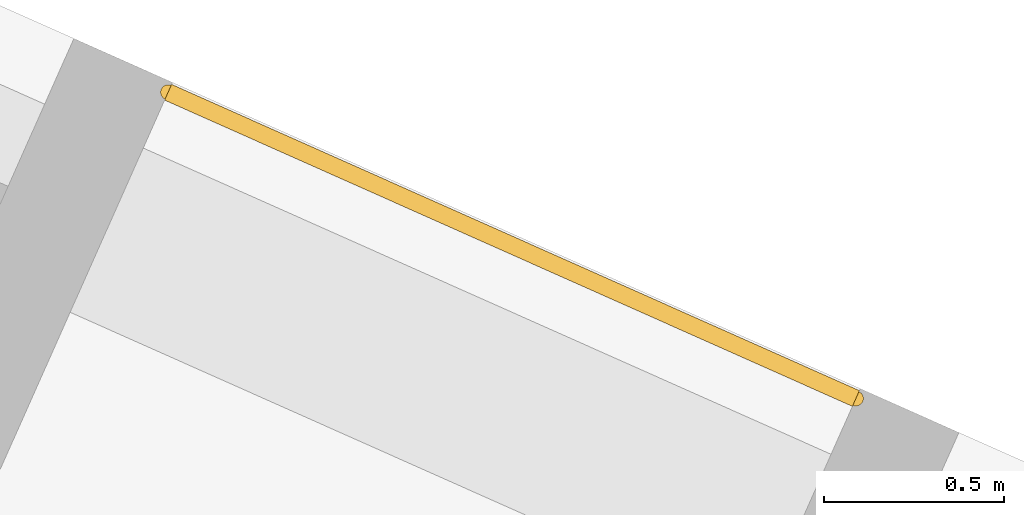
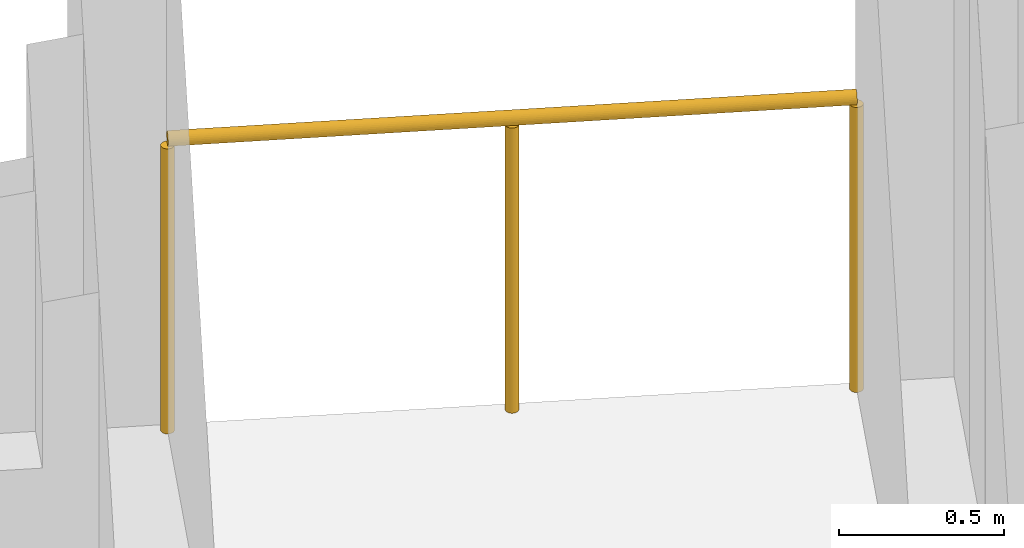
# One storey, part 14 of 14: 1 railing.
"""IFC4 building model written with IfcOpenShell, lengths in metres."""

from ifc_helpers import new_model, si_unit, direction, frame, origin, origin_2d, place, context, subcontext, project, spatial, circle, extrude, material, type_object, element, save


model = new_model("IFC4")

# Units and contexts
model_context = context("Model", 3, precision=1e-05, world=origin(), true_north=direction((0.0, 1.0)))
body_context = subcontext(model_context, "Body", "Model", "MODEL_VIEW")
ifc_project = project(units=[si_unit("LENGTHUNIT", "METRE"), si_unit("AREAUNIT", "SQUARE_METRE"), si_unit("VOLUMEUNIT", "CUBIC_METRE"), si_unit("PLANEANGLEUNIT", "RADIAN"), si_unit("MASSUNIT", "GRAM", prefix="KILO")], contexts=[model_context])

# Site, building, storey
site_placement = place(None, origin())
site = spatial("IfcSite", under=ifc_project, at=site_placement, CompositionType="ELEMENT")
building_placement = place(site_placement, origin())
building = spatial("IfcBuilding", under=site, at=building_placement, Name="Tramontana Tower", CompositionType="ELEMENT")
storey_placement = place(building_placement, frame((0.0, 0.0, 170.800048828125)))
storey = spatial("IfcBuildingStorey", under=building, at=storey_placement, Name="L39", CompositionType="ELEMENT", Elevation=170.800048828125)

# Railing
ifc_material = material(Name="Laminated glass balustrade", Category="glass")
railing_type = type_object("IfcRailingType", Name="GD1 Loggia glass balustrade 1100", PredefinedType="BALUSTRADE", material=ifc_material)
railing_placement = place(storey_placement, frame((26.319091796875, 6.85791015625, 0.0)))
element("IfcRailing", 1, at=railing_placement, inside=storey, type_object=railing_type, Name="Loggia balustrade L39 G4S2.1", PredefinedType="BALUSTRADE", context=body_context, shape_type="SweptSolid", body=[
    extrude(circle(Radius=0.02392578125, at=origin_2d()), frame((0.0, 0.0, 1.076171875), z_axis=(-0.913537312596, 0.406754936657, 0.0), x_axis=(-0.406754936657, -0.913537312596, 0.0)), (0.0, 0.0, 1.0), 2.09423828125),
    extrude(circle(Radius=0.02099609375, at=origin_2d()), origin(), (0.0, 0.0, 1.0), 1.052001953125),
    extrude(circle(Radius=0.02099609375, at=origin_2d()), frame((-0.95654296875, 0.42578125, 0.0)), (0.0, 0.0, 1.0), 1.052001953125),
    extrude(circle(Radius=0.02099609375, at=origin_2d()), frame((-1.9130859375, 0.851806640625, 0.0)), (0.0, 0.0, 1.0), 1.052001953125),
])

save(model, "model.ifc")
